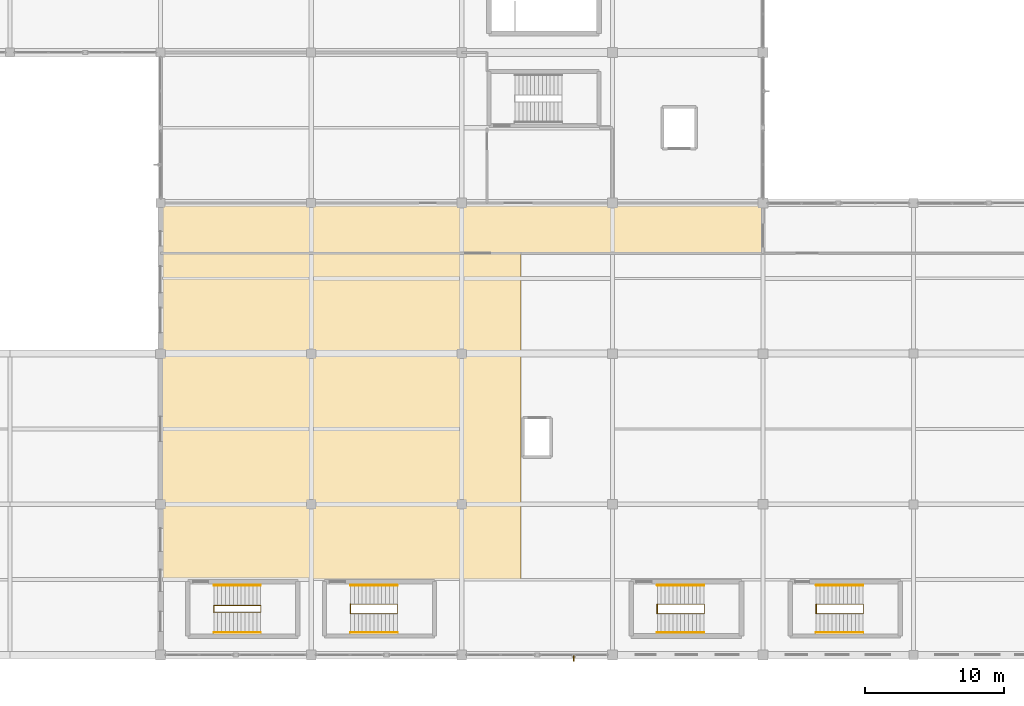
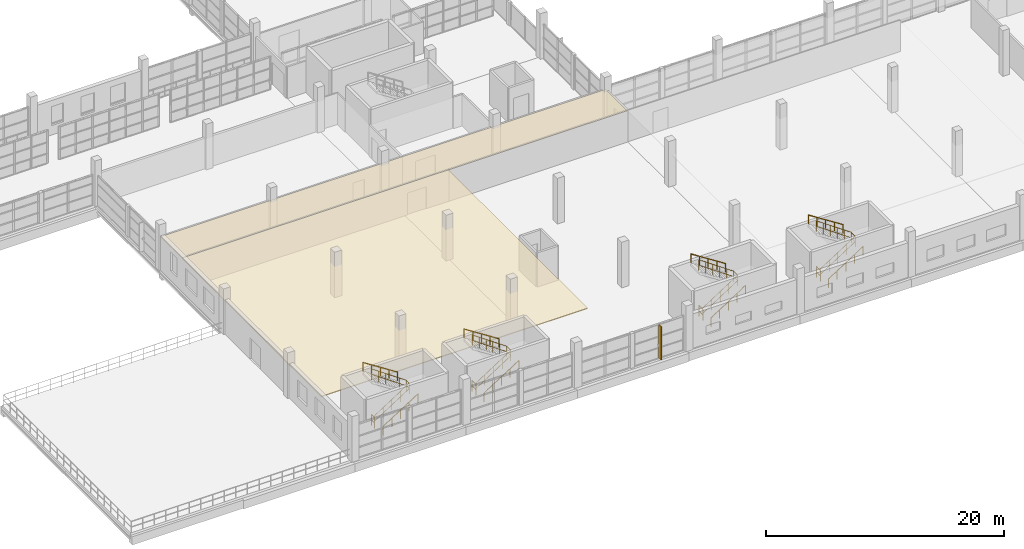
# One storey, part 137 of 142: 16 railings, 2 coverings, 1 shading device.
"""IFC4 building model written with IfcOpenShell, lengths in metres."""

from ifc_helpers import new_model, si_unit, direction, frame, origin, origin_2d, place, context, subcontext, project, spatial, polyline, rectangle, circle, outline, extrude, material, layer, layer_set, type_object, element, save


model = new_model("IFC4")

# Units and contexts
model_context = context("Model", 3, precision=1e-05, world=origin(), true_north=direction((0.0, 1.0)))
body_context = subcontext(model_context, "Body", "Model", "MODEL_VIEW")
ifc_project = project(units=[si_unit("LENGTHUNIT", "METRE"), si_unit("AREAUNIT", "SQUARE_METRE"), si_unit("VOLUMEUNIT", "CUBIC_METRE"), si_unit("PLANEANGLEUNIT", "RADIAN"), si_unit("MASSUNIT", "GRAM", prefix="KILO")], contexts=[model_context])

# Site, building, storey
site_placement = place(None, origin())
site = spatial("IfcSite", under=ifc_project, at=site_placement, CompositionType="ELEMENT")
building_placement = place(site_placement, origin())
building = spatial("IfcBuilding", under=site, at=building_placement, Name="Zwinboog Wholesale Market", CompositionType="ELEMENT")
storey_placement = place(building_placement, frame((0.0, 0.0, 5.39990234375)))
storey = spatial("IfcBuildingStorey", under=building, at=storey_placement, Name="L01", CompositionType="ELEMENT", Elevation=5.39990234375)

# Shading device
ifc_material_1 = material(Name="Western red cedar timber", Category="wood")
shading_device_type = type_object("IfcShadingDeviceType", Name="SHD-FIN-CEDAR", PredefinedType="USERDEFINED", material=ifc_material_1)
shading_device_placement = place(storey_placement, frame((159.2275390625, -0.2548828125, 0.080078125), z_axis=(0.0, 0.0, 1.0), x_axis=(0.0, 1.0, 0.0)))
element("IfcShadingDevice", 1, at=shading_device_placement, inside=storey, type_object=shading_device_type, Name="FN-01 (SHD-FIN-037)", ObjectType="FIN", PredefinedType="USERDEFINED", context=body_context, shape_type="SweptSolid", body=[
    extrude(rectangle(XDim=0.419921875, YDim=0.0849609375, at=origin_2d()), origin(), (0.0, 0.0, 1.0), 3.3798828125),
])

# Railings
ifc_material_2 = material(Name="Steel S355", Category="steel")
railing_type_1 = type_object("IfcRailingType", Name="RLT-INT-GUARD", PredefinedType="BALUSTRADE", material=ifc_material_2)
railing_1_placement = place(storey_placement, frame((176.6201171875, 3.639892578125, 0.0)))
element("IfcRailing", 2, at=railing_1_placement, inside=storey, type_object=railing_type_1, Name="GR-02 (RLG-ST-09A-GTOP)", PredefinedType="BALUSTRADE", context=body_context, shape_type="SweptSolid", body=[
    extrude(circle(Radius=0.02392578125, at=origin_2d()), frame((0.0, 0.0, 1.09619140625), z_axis=(0.0, -1.0, 0.0), x_axis=(1.0, 0.0, 0.0)), (0.0, 0.0, 1.0), 0.679931640625),
    extrude(circle(Radius=0.02392578125, at=origin_2d()), frame((0.0, 0.0, 0.5361328125), z_axis=(0.0, -1.0, 0.0), x_axis=(1.0, 0.0, 0.0)), (0.0, 0.0, 1.0), 0.679931640625),
    extrude(circle(Radius=0.02099609375, at=origin_2d()), origin(), (0.0, 0.0, 1.0), 1.072021484375),
    extrude(circle(Radius=0.02099609375, at=origin_2d()), frame((0.0, -0.679931640625, 0.0)), (0.0, 0.0, 1.0), 1.072021484375),
])
railing_2_placement = place(storey_placement, frame((176.6201171875, 2.9599609375, 0.18017578125)))
element("IfcRailing", 3, at=railing_2_placement, inside=storey, type_object=railing_type_1, Name="GR-02 (RLG-ST-09B-G1)", PredefinedType="BALUSTRADE", context=body_context, shape_type="SweptSolid", body=[
    extrude(circle(Radius=0.02392578125, at=origin_2d()), frame((0.0, 0.0, 1.09619140625), z_axis=(0.841178475377, 0.0, 0.540757591313), x_axis=(0.0, 1.0, 0.0)), (0.0, 0.0, 1.0), 3.994140625),
    extrude(circle(Radius=0.02392578125, at=origin_2d()), frame((0.0, 0.0, 0.5361328125), z_axis=(0.841178475377, 0.0, 0.540757591313), x_axis=(0.0, 1.0, 0.0)), (0.0, 0.0, 1.0), 3.994140625),
    extrude(circle(Radius=0.02392578125, at=origin_2d()), frame((3.35986328125, 0.0, 3.255859375), z_axis=(0.0, 1.0, 0.0), x_axis=(-1.0, 0.0, 0.0)), (0.0, 0.0, 1.0), 0.679931640625),
    extrude(circle(Radius=0.02392578125, at=origin_2d()), frame((3.35986328125, 0.0, 2.69580078125), z_axis=(0.0, 1.0, 0.0), x_axis=(-1.0, 0.0, 0.0)), (0.0, 0.0, 1.0), 0.679931640625),
    extrude(circle(Radius=0.02392578125, at=origin_2d()), frame((3.35986328125, 0.679931640625, 3.255859375), z_axis=(-0.820585442616, 0.0, 0.571523867714), x_axis=(0.0, -1.0, 0.0)), (0.0, 0.0, 1.0), 4.094482421875),
    extrude(circle(Radius=0.02392578125, at=origin_2d()), frame((3.35986328125, 0.679931640625, 2.69580078125), z_axis=(-0.820585442616, 0.0, 0.571523867714), x_axis=(0.0, -1.0, 0.0)), (0.0, 0.0, 1.0), 4.094482421875),
    extrude(circle(Radius=0.02099609375, at=origin_2d()), origin(), (0.0, 0.0, 1.0), 1.072021484375),
    extrude(circle(Radius=0.02099609375, at=origin_2d()), frame((0.83984375, 0.0, 0.5400390625)), (0.0, 0.0, 1.0), 1.072021484375),
    extrude(circle(Radius=0.02099609375, at=origin_2d()), frame((1.679931640625, 0.0, 1.080078125)), (0.0, 0.0, 1.0), 1.072021484375),
    extrude(circle(Radius=0.02099609375, at=origin_2d()), frame((2.52001953125, 0.0, 1.619873046875)), (0.0, 0.0, 1.0), 1.072021484375),
    extrude(circle(Radius=0.02099609375, at=origin_2d()), frame((3.35986328125, 0.0, 2.159912109375)), (0.0, 0.0, 1.0), 1.072021484375),
    extrude(circle(Radius=0.02099609375, at=origin_2d()), frame((3.35986328125, 0.679931640625, 2.159912109375)), (0.0, 0.0, 1.0), 1.072021484375),
    extrude(circle(Radius=0.02099609375, at=origin_2d()), frame((2.68798828125, 0.679931640625, 2.6279296875)), (0.0, 0.0, 1.0), 1.072021484375),
    extrude(circle(Radius=0.02099609375, at=origin_2d()), frame((2.015869140625, 0.679931640625, 3.095947265625)), (0.0, 0.0, 1.0), 1.072021484375),
    extrude(circle(Radius=0.02099609375, at=origin_2d()), frame((1.343994140625, 0.679931640625, 3.56396484375)), (0.0, 0.0, 1.0), 1.072021484375),
    extrude(circle(Radius=0.02099609375, at=origin_2d()), frame((0.671875, 0.679931640625, 4.031982421875)), (0.0, 0.0, 1.0), 1.072021484375),
    extrude(circle(Radius=0.02099609375, at=origin_2d()), frame((0.0, 0.679931640625, 4.5)), (0.0, 0.0, 1.0), 1.072021484375),
])
railing_3_placement = place(storey_placement, frame((133.419921875, 3.5400390625, 0.0)))
element("IfcRailing", 4, at=railing_3_placement, inside=storey, type_object=railing_type_1, Name="GR-02 (RLG-ST-10A-GTOP)", PredefinedType="BALUSTRADE", context=body_context, shape_type="SweptSolid", body=[
    extrude(circle(Radius=0.02392578125, at=origin_2d()), frame((0.0, 0.0, 1.09619140625), z_axis=(0.0, -1.0, 0.0), x_axis=(1.0, 0.0, 0.0)), (0.0, 0.0, 1.0), 0.47998046875),
    extrude(circle(Radius=0.02392578125, at=origin_2d()), frame((0.0, 0.0, 0.5361328125), z_axis=(0.0, -1.0, 0.0), x_axis=(1.0, 0.0, 0.0)), (0.0, 0.0, 1.0), 0.47998046875),
    extrude(circle(Radius=0.02099609375, at=origin_2d()), origin(), (0.0, 0.0, 1.0), 1.072021484375),
    extrude(circle(Radius=0.02099609375, at=origin_2d()), frame((0.0, -0.47998046875, 0.0)), (0.0, 0.0, 1.0), 1.072021484375),
])
railing_4_placement = place(storey_placement, frame((133.419921875, 3.06005859375, 0.18017578125)))
element("IfcRailing", 5, at=railing_4_placement, inside=storey, type_object=railing_type_1, Name="GR-02 (RLG-ST-10B-G1)", PredefinedType="BALUSTRADE", context=body_context, shape_type="SweptSolid", body=[
    extrude(circle(Radius=0.02392578125, at=origin_2d()), frame((0.0, 0.0, 1.09619140625), z_axis=(0.84119634759, 0.0, 0.540729789082), x_axis=(0.0, 1.0, 0.0)), (0.0, 0.0, 1.0), 3.994384765625),
    extrude(circle(Radius=0.02392578125, at=origin_2d()), frame((0.0, 0.0, 0.5361328125), z_axis=(0.84119634759, 0.0, 0.540729789082), x_axis=(0.0, 1.0, 0.0)), (0.0, 0.0, 1.0), 3.994384765625),
    extrude(circle(Radius=0.02392578125, at=origin_2d()), frame((3.360107421875, 0.0, 3.255859375), z_axis=(0.0, 1.0, 0.0), x_axis=(-1.0, 0.0, 0.0)), (0.0, 0.0, 1.0), 0.47998046875),
    extrude(circle(Radius=0.02392578125, at=origin_2d()), frame((3.360107421875, 0.0, 2.69580078125), z_axis=(0.0, 1.0, 0.0), x_axis=(-1.0, 0.0, 0.0)), (0.0, 0.0, 1.0), 0.47998046875),
    extrude(circle(Radius=0.02392578125, at=origin_2d()), frame((3.360107421875, 0.47998046875, 3.255859375), z_axis=(-0.820604917691, 0.0, 0.571495904677), x_axis=(0.0, -1.0, 0.0)), (0.0, 0.0, 1.0), 4.0947265625),
    extrude(circle(Radius=0.02392578125, at=origin_2d()), frame((3.360107421875, 0.47998046875, 2.69580078125), z_axis=(-0.820604917691, 0.0, 0.571495904677), x_axis=(0.0, -1.0, 0.0)), (0.0, 0.0, 1.0), 4.0947265625),
    extrude(circle(Radius=0.02099609375, at=origin_2d()), origin(), (0.0, 0.0, 1.0), 1.072021484375),
    extrude(circle(Radius=0.02099609375, at=origin_2d()), frame((0.840087890625, 0.0, 0.5400390625)), (0.0, 0.0, 1.0), 1.072021484375),
    extrude(circle(Radius=0.02099609375, at=origin_2d()), frame((1.68017578125, 0.0, 1.080078125)), (0.0, 0.0, 1.0), 1.072021484375),
    extrude(circle(Radius=0.02099609375, at=origin_2d()), frame((2.52001953125, 0.0, 1.619873046875)), (0.0, 0.0, 1.0), 1.072021484375),
    extrude(circle(Radius=0.02099609375, at=origin_2d()), frame((3.360107421875, 0.0, 2.159912109375)), (0.0, 0.0, 1.0), 1.072021484375),
    extrude(circle(Radius=0.02099609375, at=origin_2d()), frame((3.360107421875, 0.47998046875, 2.159912109375)), (0.0, 0.0, 1.0), 1.072021484375),
    extrude(circle(Radius=0.02099609375, at=origin_2d()), frame((2.68798828125, 0.47998046875, 2.6279296875)), (0.0, 0.0, 1.0), 1.072021484375),
    extrude(circle(Radius=0.02099609375, at=origin_2d()), frame((2.01611328125, 0.47998046875, 3.095947265625)), (0.0, 0.0, 1.0), 1.072021484375),
    extrude(circle(Radius=0.02099609375, at=origin_2d()), frame((1.343994140625, 0.47998046875, 3.56396484375)), (0.0, 0.0, 1.0), 1.072021484375),
    extrude(circle(Radius=0.02099609375, at=origin_2d()), frame((0.672119140625, 0.47998046875, 4.031982421875)), (0.0, 0.0, 1.0), 1.072021484375),
    extrude(circle(Radius=0.02099609375, at=origin_2d()), frame((0.0, 0.47998046875, 4.5)), (0.0, 0.0, 1.0), 1.072021484375),
])
railing_5_placement = place(storey_placement, frame((165.219970703125, 3.639892578125, 0.0)))
element("IfcRailing", 6, at=railing_5_placement, inside=storey, type_object=railing_type_1, Name="GR-02 (RLG-ST-11A-GTOP)", PredefinedType="BALUSTRADE", context=body_context, shape_type="SweptSolid", body=[
    extrude(circle(Radius=0.02392578125, at=origin_2d()), frame((0.0, 0.0, 1.09619140625), z_axis=(0.0, -1.0, 0.0), x_axis=(1.0, 0.0, 0.0)), (0.0, 0.0, 1.0), 0.679931640625),
    extrude(circle(Radius=0.02392578125, at=origin_2d()), frame((0.0, 0.0, 0.5361328125), z_axis=(0.0, -1.0, 0.0), x_axis=(1.0, 0.0, 0.0)), (0.0, 0.0, 1.0), 0.679931640625),
    extrude(circle(Radius=0.02099609375, at=origin_2d()), origin(), (0.0, 0.0, 1.0), 1.072021484375),
    extrude(circle(Radius=0.02099609375, at=origin_2d()), frame((0.0, -0.679931640625, 0.0)), (0.0, 0.0, 1.0), 1.072021484375),
])
railing_6_placement = place(storey_placement, frame((165.219970703125, 2.9599609375, 0.18017578125)))
element("IfcRailing", 7, at=railing_6_placement, inside=storey, type_object=railing_type_1, Name="GR-02 (RLG-ST-11B-G1)", PredefinedType="BALUSTRADE", context=body_context, shape_type="SweptSolid", body=[
    extrude(circle(Radius=0.02392578125, at=origin_2d()), frame((0.0, 0.0, 1.09619140625), z_axis=(0.84119634759, 0.0, 0.540729789082), x_axis=(0.0, 1.0, 0.0)), (0.0, 0.0, 1.0), 3.994384765625),
    extrude(circle(Radius=0.02392578125, at=origin_2d()), frame((0.0, 0.0, 0.5361328125), z_axis=(0.84119634759, 0.0, 0.540729789082), x_axis=(0.0, 1.0, 0.0)), (0.0, 0.0, 1.0), 3.994384765625),
    extrude(circle(Radius=0.02392578125, at=origin_2d()), frame((3.360107421875, 0.0, 3.255859375), z_axis=(0.0, 1.0, 0.0), x_axis=(-1.0, 0.0, 0.0)), (0.0, 0.0, 1.0), 0.679931640625),
    extrude(circle(Radius=0.02392578125, at=origin_2d()), frame((3.360107421875, 0.0, 2.69580078125), z_axis=(0.0, 1.0, 0.0), x_axis=(-1.0, 0.0, 0.0)), (0.0, 0.0, 1.0), 0.679931640625),
    extrude(circle(Radius=0.02392578125, at=origin_2d()), frame((3.360107421875, 0.679931640625, 3.255859375), z_axis=(-0.820604917691, 0.0, 0.571495904677), x_axis=(0.0, -1.0, 0.0)), (0.0, 0.0, 1.0), 4.0947265625),
    extrude(circle(Radius=0.02392578125, at=origin_2d()), frame((3.360107421875, 0.679931640625, 2.69580078125), z_axis=(-0.820604917691, 0.0, 0.571495904677), x_axis=(0.0, -1.0, 0.0)), (0.0, 0.0, 1.0), 4.0947265625),
    extrude(circle(Radius=0.02099609375, at=origin_2d()), origin(), (0.0, 0.0, 1.0), 1.072021484375),
    extrude(circle(Radius=0.02099609375, at=origin_2d()), frame((0.840087890625, 0.0, 0.5400390625)), (0.0, 0.0, 1.0), 1.072021484375),
    extrude(circle(Radius=0.02099609375, at=origin_2d()), frame((1.68017578125, 0.0, 1.080078125)), (0.0, 0.0, 1.0), 1.072021484375),
    extrude(circle(Radius=0.02099609375, at=origin_2d()), frame((2.52001953125, 0.0, 1.619873046875)), (0.0, 0.0, 1.0), 1.072021484375),
    extrude(circle(Radius=0.02099609375, at=origin_2d()), frame((3.360107421875, 0.0, 2.159912109375)), (0.0, 0.0, 1.0), 1.072021484375),
    extrude(circle(Radius=0.02099609375, at=origin_2d()), frame((3.360107421875, 0.679931640625, 2.159912109375)), (0.0, 0.0, 1.0), 1.072021484375),
    extrude(circle(Radius=0.02099609375, at=origin_2d()), frame((2.68798828125, 0.679931640625, 2.6279296875)), (0.0, 0.0, 1.0), 1.072021484375),
    extrude(circle(Radius=0.02099609375, at=origin_2d()), frame((2.01611328125, 0.679931640625, 3.095947265625)), (0.0, 0.0, 1.0), 1.072021484375),
    extrude(circle(Radius=0.02099609375, at=origin_2d()), frame((1.343994140625, 0.679931640625, 3.56396484375)), (0.0, 0.0, 1.0), 1.072021484375),
    extrude(circle(Radius=0.02099609375, at=origin_2d()), frame((0.672119140625, 0.679931640625, 4.031982421875)), (0.0, 0.0, 1.0), 1.072021484375),
    extrude(circle(Radius=0.02099609375, at=origin_2d()), frame((0.0, 0.679931640625, 4.5)), (0.0, 0.0, 1.0), 1.072021484375),
])
railing_7_placement = place(storey_placement, frame((143.219970703125, 3.639892578125, 0.0)))
element("IfcRailing", 8, at=railing_7_placement, inside=storey, type_object=railing_type_1, Name="GR-02 (RLG-ST-13A-GTOP)", PredefinedType="BALUSTRADE", context=body_context, shape_type="SweptSolid", body=[
    extrude(circle(Radius=0.02392578125, at=origin_2d()), frame((0.0, 0.0, 1.09619140625), z_axis=(0.0, -1.0, 0.0), x_axis=(1.0, 0.0, 0.0)), (0.0, 0.0, 1.0), 0.679931640625),
    extrude(circle(Radius=0.02392578125, at=origin_2d()), frame((0.0, 0.0, 0.5361328125), z_axis=(0.0, -1.0, 0.0), x_axis=(1.0, 0.0, 0.0)), (0.0, 0.0, 1.0), 0.679931640625),
    extrude(circle(Radius=0.02099609375, at=origin_2d()), origin(), (0.0, 0.0, 1.0), 1.072021484375),
    extrude(circle(Radius=0.02099609375, at=origin_2d()), frame((0.0, -0.679931640625, 0.0)), (0.0, 0.0, 1.0), 1.072021484375),
])
railing_8_placement = place(storey_placement, frame((143.219970703125, 2.9599609375, 0.18017578125)))
element("IfcRailing", 9, at=railing_8_placement, inside=storey, type_object=railing_type_1, Name="GR-02 (RLG-ST-13B-G1)", PredefinedType="BALUSTRADE", context=body_context, shape_type="SweptSolid", body=[
    extrude(circle(Radius=0.02392578125, at=origin_2d()), frame((0.0, 0.0, 1.09619140625), z_axis=(0.84119634759, 0.0, 0.540729789082), x_axis=(0.0, 1.0, 0.0)), (0.0, 0.0, 1.0), 3.994384765625),
    extrude(circle(Radius=0.02392578125, at=origin_2d()), frame((0.0, 0.0, 0.5361328125), z_axis=(0.84119634759, 0.0, 0.540729789082), x_axis=(0.0, 1.0, 0.0)), (0.0, 0.0, 1.0), 3.994384765625),
    extrude(circle(Radius=0.02392578125, at=origin_2d()), frame((3.360107421875, 0.0, 3.255859375), z_axis=(0.0, 1.0, 0.0), x_axis=(-1.0, 0.0, 0.0)), (0.0, 0.0, 1.0), 0.679931640625),
    extrude(circle(Radius=0.02392578125, at=origin_2d()), frame((3.360107421875, 0.0, 2.69580078125), z_axis=(0.0, 1.0, 0.0), x_axis=(-1.0, 0.0, 0.0)), (0.0, 0.0, 1.0), 0.679931640625),
    extrude(circle(Radius=0.02392578125, at=origin_2d()), frame((3.360107421875, 0.679931640625, 3.255859375), z_axis=(-0.820604917691, 0.0, 0.571495904677), x_axis=(0.0, -1.0, 0.0)), (0.0, 0.0, 1.0), 4.0947265625),
    extrude(circle(Radius=0.02392578125, at=origin_2d()), frame((3.360107421875, 0.679931640625, 2.69580078125), z_axis=(-0.820604917691, 0.0, 0.571495904677), x_axis=(0.0, -1.0, 0.0)), (0.0, 0.0, 1.0), 4.0947265625),
    extrude(circle(Radius=0.02099609375, at=origin_2d()), origin(), (0.0, 0.0, 1.0), 1.072021484375),
    extrude(circle(Radius=0.02099609375, at=origin_2d()), frame((0.840087890625, 0.0, 0.5400390625)), (0.0, 0.0, 1.0), 1.072021484375),
    extrude(circle(Radius=0.02099609375, at=origin_2d()), frame((1.68017578125, 0.0, 1.080078125)), (0.0, 0.0, 1.0), 1.072021484375),
    extrude(circle(Radius=0.02099609375, at=origin_2d()), frame((2.52001953125, 0.0, 1.619873046875)), (0.0, 0.0, 1.0), 1.072021484375),
    extrude(circle(Radius=0.02099609375, at=origin_2d()), frame((3.360107421875, 0.0, 2.159912109375)), (0.0, 0.0, 1.0), 1.072021484375),
    extrude(circle(Radius=0.02099609375, at=origin_2d()), frame((3.360107421875, 0.679931640625, 2.159912109375)), (0.0, 0.0, 1.0), 1.072021484375),
    extrude(circle(Radius=0.02099609375, at=origin_2d()), frame((2.68798828125, 0.679931640625, 2.6279296875)), (0.0, 0.0, 1.0), 1.072021484375),
    extrude(circle(Radius=0.02099609375, at=origin_2d()), frame((2.01611328125, 0.679931640625, 3.095947265625)), (0.0, 0.0, 1.0), 1.072021484375),
    extrude(circle(Radius=0.02099609375, at=origin_2d()), frame((1.343994140625, 0.679931640625, 3.56396484375)), (0.0, 0.0, 1.0), 1.072021484375),
    extrude(circle(Radius=0.02099609375, at=origin_2d()), frame((0.672119140625, 0.679931640625, 4.031982421875)), (0.0, 0.0, 1.0), 1.072021484375),
    extrude(circle(Radius=0.02099609375, at=origin_2d()), frame((0.0, 0.679931640625, 4.5)), (0.0, 0.0, 1.0), 1.072021484375),
])
railing_type_2 = type_object("IfcRailingType", Name="RLT-HANDRAIL", PredefinedType="HANDRAIL", material=ifc_material_2)
railing_9_placement = place(storey_placement, frame((176.6201171875, 1.610107421875, 0.18017578125)))
element("IfcRailing", 10, at=railing_9_placement, inside=storey, type_object=railing_type_2, Name="HR-01 (RLG-ST-09B-HR1)", PredefinedType="HANDRAIL", context=body_context, shape_type="SweptSolid", body=[
    extrude(circle(Radius=0.02392578125, at=origin_2d()), frame((0.0, 0.0, 0.8759765625), z_axis=(0.841178475377, 0.0, 0.540757591313), x_axis=(0.0, 1.0, 0.0)), (0.0, 0.0, 1.0), 3.994140625),
    extrude(circle(Radius=0.02099609375, at=origin_2d()), origin(), (0.0, 0.0, 1.0), 0.851806640625),
    extrude(circle(Radius=0.02099609375, at=origin_2d()), frame((0.83984375, 0.0, 0.5400390625)), (0.0, 0.0, 1.0), 0.851806640625),
    extrude(circle(Radius=0.02099609375, at=origin_2d()), frame((1.679931640625, 0.0, 1.080078125)), (0.0, 0.0, 1.0), 0.851806640625),
    extrude(circle(Radius=0.02099609375, at=origin_2d()), frame((2.52001953125, 0.0, 1.619873046875)), (0.0, 0.0, 1.0), 0.851806640625),
    extrude(circle(Radius=0.02099609375, at=origin_2d()), frame((3.35986328125, 0.0, 2.159912109375)), (0.0, 0.0, 1.0), 0.851806640625),
])
railing_10_placement = place(storey_placement, frame((179.97998046875, 4.989990234375, 2.52001953125)))
element("IfcRailing", 11, at=railing_10_placement, inside=storey, type_object=railing_type_2, Name="HR-01 (RLG-ST-09B-HR2)", PredefinedType="HANDRAIL", context=body_context, shape_type="SweptSolid", body=[
    extrude(circle(Radius=0.02392578125, at=origin_2d()), frame((0.0, 0.0, 0.8759765625), z_axis=(-0.841150671818, 0.0, 0.540800838849), x_axis=(0.0, -1.0, 0.0)), (0.0, 0.0, 1.0), 3.994384765625),
    extrude(circle(Radius=0.02099609375, at=origin_2d()), origin(), (0.0, 0.0, 1.0), 0.851806640625),
    extrude(circle(Radius=0.02099609375, at=origin_2d()), frame((-0.83984375, 0.0, 0.5400390625)), (0.0, 0.0, 1.0), 0.851806640625),
    extrude(circle(Radius=0.02099609375, at=origin_2d()), frame((-1.679931640625, 0.0, 1.080078125)), (0.0, 0.0, 1.0), 0.851806640625),
    extrude(circle(Radius=0.02099609375, at=origin_2d()), frame((-2.52001953125, 0.0, 1.6201171875)), (0.0, 0.0, 1.0), 0.851806640625),
    extrude(circle(Radius=0.02099609375, at=origin_2d()), frame((-3.35986328125, 0.0, 2.16015625)), (0.0, 0.0, 1.0), 0.851806640625),
])
railing_11_placement = place(storey_placement, frame((133.419921875, 1.610107421875, 0.18017578125)))
element("IfcRailing", 12, at=railing_11_placement, inside=storey, type_object=railing_type_2, Name="HR-01 (RLG-ST-10B-HR1)", PredefinedType="HANDRAIL", context=body_context, shape_type="SweptSolid", body=[
    extrude(circle(Radius=0.02392578125, at=origin_2d()), frame((0.0, 0.0, 0.8759765625), z_axis=(0.84119634759, 0.0, 0.540729789082), x_axis=(0.0, 1.0, 0.0)), (0.0, 0.0, 1.0), 3.994384765625),
    extrude(circle(Radius=0.02099609375, at=origin_2d()), origin(), (0.0, 0.0, 1.0), 0.851806640625),
    extrude(circle(Radius=0.02099609375, at=origin_2d()), frame((0.840087890625, 0.0, 0.5400390625)), (0.0, 0.0, 1.0), 0.851806640625),
    extrude(circle(Radius=0.02099609375, at=origin_2d()), frame((1.68017578125, 0.0, 1.080078125)), (0.0, 0.0, 1.0), 0.851806640625),
    extrude(circle(Radius=0.02099609375, at=origin_2d()), frame((2.52001953125, 0.0, 1.619873046875)), (0.0, 0.0, 1.0), 0.851806640625),
    extrude(circle(Radius=0.02099609375, at=origin_2d()), frame((3.360107421875, 0.0, 2.159912109375)), (0.0, 0.0, 1.0), 0.851806640625),
])
railing_12_placement = place(storey_placement, frame((136.780029296875, 4.989990234375, 2.52001953125)))
element("IfcRailing", 13, at=railing_12_placement, inside=storey, type_object=railing_type_2, Name="HR-01 (RLG-ST-10B-HR2)", PredefinedType="HANDRAIL", context=body_context, shape_type="SweptSolid", body=[
    extrude(circle(Radius=0.02392578125, at=origin_2d()), frame((0.0, 0.0, 0.8759765625), z_axis=(-0.8411685463, 0.0, 0.540773036232), x_axis=(0.0, -1.0, 0.0)), (0.0, 0.0, 1.0), 3.99462890625),
    extrude(circle(Radius=0.02099609375, at=origin_2d()), origin(), (0.0, 0.0, 1.0), 0.851806640625),
    extrude(circle(Radius=0.02099609375, at=origin_2d()), frame((-0.840087890625, 0.0, 0.5400390625)), (0.0, 0.0, 1.0), 0.851806640625),
    extrude(circle(Radius=0.02099609375, at=origin_2d()), frame((-1.68017578125, 0.0, 1.080078125)), (0.0, 0.0, 1.0), 0.851806640625),
    extrude(circle(Radius=0.02099609375, at=origin_2d()), frame((-2.52001953125, 0.0, 1.6201171875)), (0.0, 0.0, 1.0), 0.851806640625),
    extrude(circle(Radius=0.02099609375, at=origin_2d()), frame((-3.360107421875, 0.0, 2.16015625)), (0.0, 0.0, 1.0), 0.851806640625),
])
railing_13_placement = place(storey_placement, frame((165.219970703125, 1.610107421875, 0.18017578125)))
element("IfcRailing", 14, at=railing_13_placement, inside=storey, type_object=railing_type_2, Name="HR-01 (RLG-ST-11B-HR1)", PredefinedType="HANDRAIL", context=body_context, shape_type="SweptSolid", body=[
    extrude(circle(Radius=0.02392578125, at=origin_2d()), frame((0.0, 0.0, 0.8759765625), z_axis=(0.84119634759, 0.0, 0.540729789082), x_axis=(0.0, 1.0, 0.0)), (0.0, 0.0, 1.0), 3.994384765625),
    extrude(circle(Radius=0.02099609375, at=origin_2d()), origin(), (0.0, 0.0, 1.0), 0.851806640625),
    extrude(circle(Radius=0.02099609375, at=origin_2d()), frame((0.840087890625, 0.0, 0.5400390625)), (0.0, 0.0, 1.0), 0.851806640625),
    extrude(circle(Radius=0.02099609375, at=origin_2d()), frame((1.68017578125, 0.0, 1.080078125)), (0.0, 0.0, 1.0), 0.851806640625),
    extrude(circle(Radius=0.02099609375, at=origin_2d()), frame((2.52001953125, 0.0, 1.619873046875)), (0.0, 0.0, 1.0), 0.851806640625),
    extrude(circle(Radius=0.02099609375, at=origin_2d()), frame((3.360107421875, 0.0, 2.159912109375)), (0.0, 0.0, 1.0), 0.851806640625),
])
railing_14_placement = place(storey_placement, frame((168.580078125, 4.989990234375, 2.52001953125)))
element("IfcRailing", 15, at=railing_14_placement, inside=storey, type_object=railing_type_2, Name="HR-01 (RLG-ST-11B-HR2)", PredefinedType="HANDRAIL", context=body_context, shape_type="SweptSolid", body=[
    extrude(circle(Radius=0.02392578125, at=origin_2d()), frame((0.0, 0.0, 0.8759765625), z_axis=(-0.8411685463, 0.0, 0.540773036232), x_axis=(0.0, -1.0, 0.0)), (0.0, 0.0, 1.0), 3.99462890625),
    extrude(circle(Radius=0.02099609375, at=origin_2d()), origin(), (0.0, 0.0, 1.0), 0.851806640625),
    extrude(circle(Radius=0.02099609375, at=origin_2d()), frame((-0.840087890625, 0.0, 0.5400390625)), (0.0, 0.0, 1.0), 0.851806640625),
    extrude(circle(Radius=0.02099609375, at=origin_2d()), frame((-1.68017578125, 0.0, 1.080078125)), (0.0, 0.0, 1.0), 0.851806640625),
    extrude(circle(Radius=0.02099609375, at=origin_2d()), frame((-2.52001953125, 0.0, 1.6201171875)), (0.0, 0.0, 1.0), 0.851806640625),
    extrude(circle(Radius=0.02099609375, at=origin_2d()), frame((-3.360107421875, 0.0, 2.16015625)), (0.0, 0.0, 1.0), 0.851806640625),
])
railing_15_placement = place(storey_placement, frame((143.219970703125, 1.610107421875, 0.18017578125)))
element("IfcRailing", 16, at=railing_15_placement, inside=storey, type_object=railing_type_2, Name="HR-01 (RLG-ST-13B-HR1)", PredefinedType="HANDRAIL", context=body_context, shape_type="SweptSolid", body=[
    extrude(circle(Radius=0.02392578125, at=origin_2d()), frame((0.0, 0.0, 0.8759765625), z_axis=(0.84119634759, 0.0, 0.540729789082), x_axis=(0.0, 1.0, 0.0)), (0.0, 0.0, 1.0), 3.994384765625),
    extrude(circle(Radius=0.02099609375, at=origin_2d()), origin(), (0.0, 0.0, 1.0), 0.851806640625),
    extrude(circle(Radius=0.02099609375, at=origin_2d()), frame((0.840087890625, 0.0, 0.5400390625)), (0.0, 0.0, 1.0), 0.851806640625),
    extrude(circle(Radius=0.02099609375, at=origin_2d()), frame((1.68017578125, 0.0, 1.080078125)), (0.0, 0.0, 1.0), 0.851806640625),
    extrude(circle(Radius=0.02099609375, at=origin_2d()), frame((2.52001953125, 0.0, 1.619873046875)), (0.0, 0.0, 1.0), 0.851806640625),
    extrude(circle(Radius=0.02099609375, at=origin_2d()), frame((3.360107421875, 0.0, 2.159912109375)), (0.0, 0.0, 1.0), 0.851806640625),
])
railing_16_placement = place(storey_placement, frame((146.580078125, 4.989990234375, 2.52001953125)))
element("IfcRailing", 17, at=railing_16_placement, inside=storey, type_object=railing_type_2, Name="HR-01 (RLG-ST-13B-HR2)", PredefinedType="HANDRAIL", context=body_context, shape_type="SweptSolid", body=[
    extrude(circle(Radius=0.02392578125, at=origin_2d()), frame((0.0, 0.0, 0.8759765625), z_axis=(-0.8411685463, 0.0, 0.540773036232), x_axis=(0.0, -1.0, 0.0)), (0.0, 0.0, 1.0), 3.99462890625),
    extrude(circle(Radius=0.02099609375, at=origin_2d()), origin(), (0.0, 0.0, 1.0), 0.851806640625),
    extrude(circle(Radius=0.02099609375, at=origin_2d()), frame((-0.840087890625, 0.0, 0.5400390625)), (0.0, 0.0, 1.0), 0.851806640625),
    extrude(circle(Radius=0.02099609375, at=origin_2d()), frame((-1.68017578125, 0.0, 1.080078125)), (0.0, 0.0, 1.0), 0.851806640625),
    extrude(circle(Radius=0.02099609375, at=origin_2d()), frame((-2.52001953125, 0.0, 1.6201171875)), (0.0, 0.0, 1.0), 0.851806640625),
    extrude(circle(Radius=0.02099609375, at=origin_2d()), frame((-3.360107421875, 0.0, 2.16015625)), (0.0, 0.0, 1.0), 0.851806640625),
])

# Coverings
ifc_material_3 = material(Name="Western red cedar acoustic baffle ceiling", Category="wood")
ifc_layer_1 = layer(ifc_material_3, 0.080078125)
ifc_layer_set_1 = layer_set([ifc_layer_1], Name="Western red cedar acoustic baffle ceiling")
covering_type_1 = type_object("IfcCoveringType", Name="COV-CEIL-CEDAR", PredefinedType="CEILING", material=ifc_layer_set_1)
covering_1_placement = place(storey_placement, frame((0.0, 0.0, 3.10009765625)))
element("IfcCovering", 18, at=covering_1_placement, inside=storey, type_object=covering_type_1, Name="CL-01 (COV-CL-L01-027)", PredefinedType="CEILING", context=body_context, shape_type="SweptSolid", body=[
    extrude(outline(polyline([(129.60009765625, 5.39990234375), (155.449951171875, 5.39990234375), (155.449951171875, 28.800048828125), (129.60009765625, 28.800048828125), (129.60009765625, 5.39990234375)])), origin(), (0.0, 0.0, 1.0), 0.080078125),
])
ifc_material_4 = material(Name="Hygienic washable acoustic gypsum ceiling")
ifc_layer_2 = layer(ifc_material_4, 0.050048828125)
ifc_layer_set_2 = layer_set([ifc_layer_2], Name="Hygienic washable acoustic gypsum ceiling")
covering_type_2 = type_object("IfcCoveringType", Name="COV-CEIL-HYG", PredefinedType="CEILING", material=ifc_layer_set_2)
covering_2_placement = place(storey_placement, frame((0.0, 0.0, 3.130126953125)))
element("IfcCovering", 19, at=covering_2_placement, inside=storey, type_object=covering_type_2, Name="CL-02 (COV-CL-L01-028)", PredefinedType="CEILING", context=body_context, shape_type="SweptSolid", body=[
    extrude(outline(polyline([(129.60009765625, 28.800048828125), (172.800048828125, 28.800048828125), (172.800048828125, 32.39990234375), (129.60009765625, 32.39990234375), (129.60009765625, 28.800048828125)])), origin(), (0.0, 0.0, 1.0), 0.050048828125),
])

save(model, "model.ifc")
